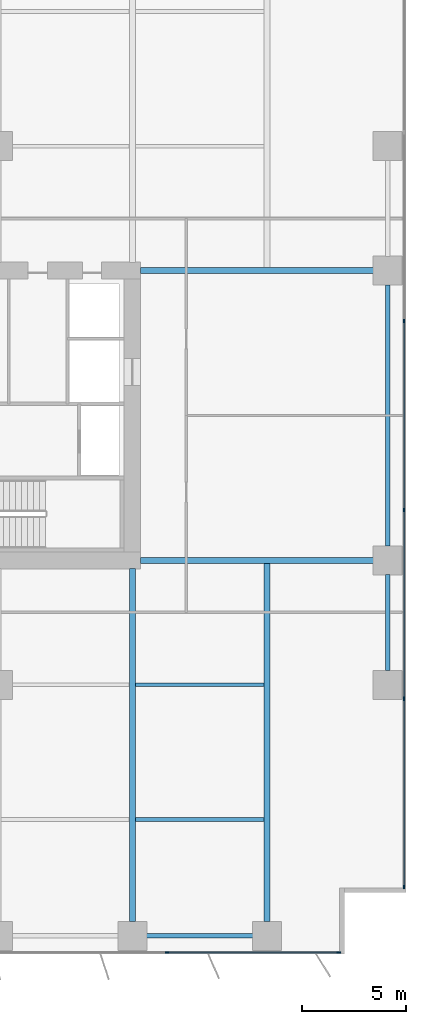
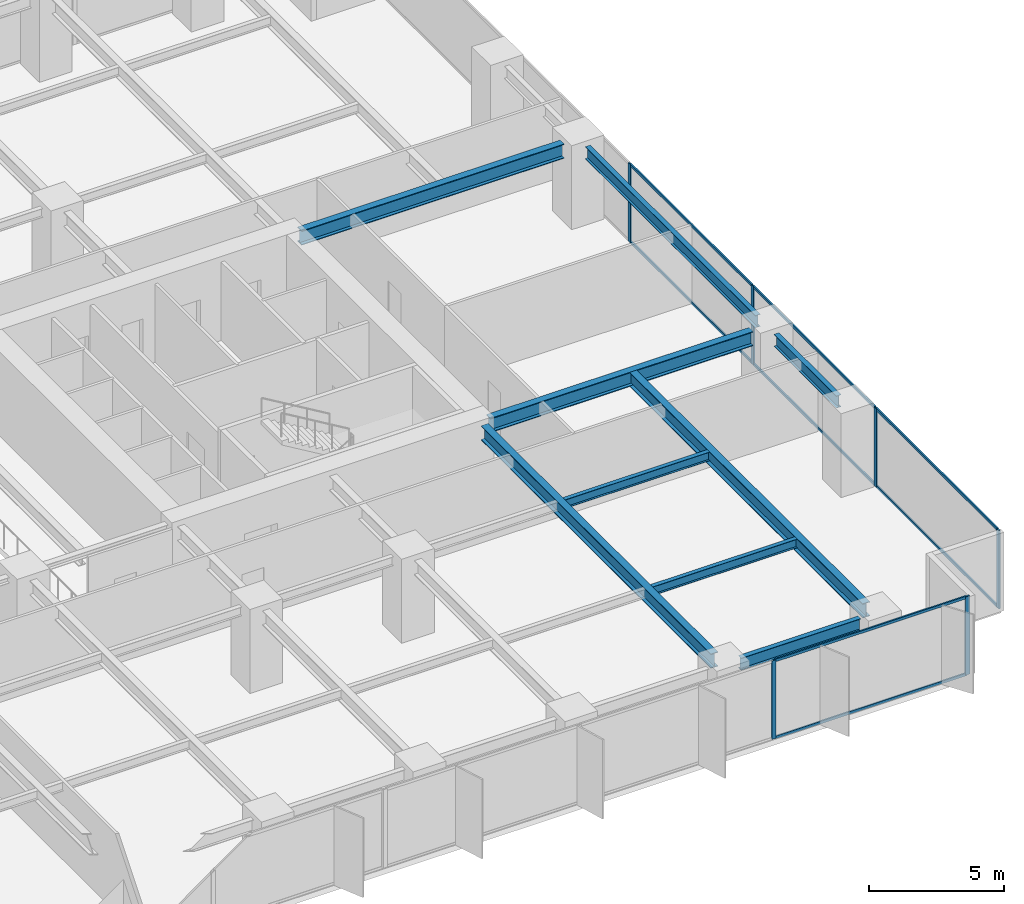
# One storey, part 10 of 20: 14 members, 9 beams, 2 elements without a shape of their own.
"""IFC4 building model written with IfcOpenShell, lengths in metres."""

from ifc_helpers import new_model, si_unit, direction, frame, origin, origin_2d, place, context, subcontext, project, spatial, rectangle, i_section, extrude, material, layer, layer_set, material_profile, profile_set, type_object, element, aggregate, save


model = new_model("IFC4")

# Units and contexts
model_context = context("Model", 3, precision=1e-05, world=origin(), true_north=direction((0.0, 1.0)))
body_context = subcontext(model_context, "Body", "Model", "MODEL_VIEW")
ifc_project = project(units=[si_unit("LENGTHUNIT", "METRE"), si_unit("AREAUNIT", "SQUARE_METRE"), si_unit("VOLUMEUNIT", "CUBIC_METRE"), si_unit("PLANEANGLEUNIT", "RADIAN"), si_unit("MASSUNIT", "GRAM", prefix="KILO")], contexts=[model_context])

# Site, building, storey
site_placement = place(None, origin())
site = spatial("IfcSite", under=ifc_project, at=site_placement, CompositionType="ELEMENT")
building_placement = place(site_placement, origin())
building = spatial("IfcBuilding", under=site, at=building_placement, Name="Putna Gate Headquarters", CompositionType="ELEMENT")
storey_placement = place(building_placement, frame((0.0, 0.0, 27.800048828125)))
storey = spatial("IfcBuildingStorey", under=building, at=storey_placement, Name="L05", CompositionType="ELEMENT", Elevation=27.800048828125)

# Beams
ifc_material_1 = material(Name="Steel S355J2", Category="steel")
ifc_material_profile_1 = material_profile(ifc_material_1, i_section(OverallWidth=0.300048828125, OverallDepth=0.64990234375, WebThickness=0.01611328125, FlangeThickness=0.031005859375, at=origin_2d()), Name="Steel S355J2")
ifc_profile_set_1 = profile_set([ifc_material_profile_1], Name="Steel S355J2")
beam_type_1 = type_object("IfcBeamType", Name="BM-GIRD-Z1-HEB650", PredefinedType="USERDEFINED", material=ifc_profile_set_1)
for number, where, z_axis, x_axis, name in (
    (1, (65.385009765625, 19.0, 3.224853515625), (1.0, 0.0, 0.0), (0.0, 1.0, 0.0), "L05 East Wing Girder Y19"),
    (2, (65.385009765625, 33.0, 3.224853515625), (1.0, 0.0, 0.0), (0.0, 1.0, 0.0), "L05 East Wing Girder Y33"),
):
    element("IfcBeam", number, at=place(storey_placement, frame(where, z_axis=z_axis, x_axis=x_axis)), inside=storey, type_object=beam_type_1, Name=name, ObjectType="GIRDER", PredefinedType="USERDEFINED", context=body_context, shape_type="SweptSolid", body=[
        extrude(i_section(OverallWidth=0.300048828125, OverallDepth=0.64990234375, WebThickness=0.01611328125, FlangeThickness=0.031005859375, at=origin_2d()), origin(), (0.0, 0.0, 1.0), 11.2470703125),
    ])
beam_1_placement = place(storey_placement, frame((65.0, 1.568115234375, 3.224853515625), z_axis=(0.0, 1.0, 0.0), x_axis=(-1.0, 0.0, 0.0)))
element("IfcBeam", 3, at=beam_1_placement, inside=storey, type_object=beam_type_1, Name="L05 South Primary Girder X65", ObjectType="GIRDER", PredefinedType="USERDEFINED", context=body_context, shape_type="SweptSolid", body=[
    extrude(i_section(OverallWidth=0.300048828125, OverallDepth=0.64990234375, WebThickness=0.01611328125, FlangeThickness=0.031005859375, at=origin_2d()), origin(), (0.0, 0.0, 1.0), 17.046875),
])
beam_2_placement = place(storey_placement, frame((71.5, 1.568115234375, 3.224853515625), z_axis=(0.0, 1.0, 0.0), x_axis=(-1.0, 0.0, 0.0)))
element("IfcBeam", 4, at=beam_2_placement, inside=storey, type_object=beam_type_1, Name="L05 South Primary Girder X71", ObjectType="GIRDER", PredefinedType="USERDEFINED", context=body_context, shape_type="SweptSolid", body=[
    extrude(i_section(OverallWidth=0.300048828125, OverallDepth=0.64990234375, WebThickness=0.01611328125, FlangeThickness=0.031005859375, at=origin_2d()), origin(), (0.0, 0.0, 1.0), 17.419921875),
])
ifc_material_profile_2 = material_profile(ifc_material_1, i_section(OverallWidth=0.179931640625, OverallDepth=0.39990234375, WebThickness=0.008544921875, FlangeThickness=0.013427734375, at=origin_2d()), Name="Steel S355J2")
ifc_profile_set_2 = profile_set([ifc_material_profile_2], Name="Steel S355J2")
beam_type_2 = type_object("IfcBeamType", Name="BM-SEC-Z1-IPE400", PredefinedType="BEAM", material=ifc_profile_set_2)
for number, where, z_axis, x_axis, name in (
    (5, (65.154052734375, 6.5, 3.349853515625), (1.0, 0.0, 0.0), (0.0, 1.0, 0.0), "L05 South Secondary Beam 10"),
    (6, (65.154052734375, 13.0, 3.349853515625), (1.0, 0.0, 0.0), (0.0, 1.0, 0.0), "L05 South Secondary Beam 10"),
):
    element("IfcBeam", number, at=place(storey_placement, frame(where, z_axis=z_axis, x_axis=x_axis)), inside=storey, type_object=beam_type_2, Name=name, PredefinedType="BEAM", context=body_context, shape_type="SweptSolid", body=[
        extrude(i_section(OverallWidth=0.179931640625, OverallDepth=0.39990234375, WebThickness=0.008544921875, FlangeThickness=0.013427734375, at=origin_2d()), origin(), (0.0, 0.0, 1.0), 6.19189453125),
    ])
ifc_material_profile_3 = material_profile(ifc_material_1, i_section(OverallWidth=0.2099609375, OverallDepth=0.550048828125, WebThickness=0.010986328125, FlangeThickness=0.01708984375, at=origin_2d()), Name="Steel S355J2")
ifc_profile_set_3 = profile_set([ifc_material_profile_3], Name="Steel S355J2")
beam_type_3 = type_object("IfcBeamType", Name="BM-SPAN-Z1-IPE550", PredefinedType="SPANDREL", material=ifc_profile_set_3)
beam_3_placement = place(storey_placement, frame((65.68798828125, 0.8798828125, 3.27490234375), z_axis=(1.0, 0.0, 0.0), x_axis=(0.0, 1.0, 0.0)))
element("IfcBeam", 7, at=beam_3_placement, inside=storey, type_object=beam_type_3, Name="L05 S Perimeter Spandrel 10", PredefinedType="SPANDREL", context=body_context, shape_type="SweptSolid", body=[
    extrude(i_section(OverallWidth=0.2099609375, OverallDepth=0.550048828125, WebThickness=0.010986328125, FlangeThickness=0.01708984375, at=origin_2d()), origin(), (0.0, 0.0, 1.0), 5.1240234375),
])
beam_4_placement = place(storey_placement, frame((77.320068359375, 13.68798828125, 3.27490234375), z_axis=(0.0, 1.0, 0.0), x_axis=(-1.0, 0.0, 0.0)))
element("IfcBeam", 8, at=beam_4_placement, inside=storey, type_object=beam_type_3, Name="L05 E End Spandrel 1", PredefinedType="SPANDREL", context=body_context, shape_type="SweptSolid", body=[
    extrude(i_section(OverallWidth=0.2099609375, OverallDepth=0.550048828125, WebThickness=0.010986328125, FlangeThickness=0.01708984375, at=origin_2d()), origin(), (0.0, 0.0, 1.0), 4.6240234375),
])
beam_5_placement = place(storey_placement, frame((77.320068359375, 19.68798828125, 3.27490234375), z_axis=(0.0, 1.0, 0.0), x_axis=(-1.0, 0.0, 0.0)))
element("IfcBeam", 9, at=beam_5_placement, inside=storey, type_object=beam_type_3, Name="L05 E End Spandrel 2", PredefinedType="SPANDREL", context=body_context, shape_type="SweptSolid", body=[
    extrude(i_section(OverallWidth=0.2099609375, OverallDepth=0.550048828125, WebThickness=0.010986328125, FlangeThickness=0.01708984375, at=origin_2d()), origin(), (0.0, 0.0, 1.0), 12.6240234375),
])

# Curtain wall, members
ifc_material_2 = material(Name="Anodised bronze aluminium curtain wall", Category="aluminium")
ifc_layer = layer(ifc_material_2, 0.179931640625)
ifc_layer_set = layer_set([ifc_layer], Name="Anodised bronze aluminium curtain wall")
curtain_wall_type = type_object("IfcCurtainWallType", Name="CW-SYS-Z1", PredefinedType="USERDEFINED", material=ifc_layer_set)
curtain_wall_1_placement = place(storey_placement, origin())
curtain_wall_1 = element("IfcCurtainWall", 10, at=curtain_wall_1_placement, inside=storey, type_object=curtain_wall_type, Name="L05 South East Curtain Wall", ObjectType="STICK CURTAIN WALL", PredefinedType="USERDEFINED")
ifc_material_3 = material(Name="Anodised bronze aluminium EN AW-6060", Category="aluminium")
ifc_material_profile_4 = material_profile(ifc_material_3, rectangle(XDim=0.070068359375, YDim=0.179931640625, at=origin_2d()), Name="Anodised bronze aluminium EN AW-6060")
ifc_profile_set_4 = profile_set([ifc_material_profile_4], Name="Anodised bronze aluminium EN AW-6060")
member_type_1 = type_object("IfcMemberType", Name="MULL-CWM-1", PredefinedType="MULLION", material=ifc_profile_set_4)
member_1_placement = place(storey_placement, frame((66.666748046875, 0.080078125, 0.0), z_axis=(0.0, 0.0, 1.0), x_axis=(0.0, 1.0, 0.0)))
member_1 = element("IfcMember", 11, at=member_1_placement, type_object=member_type_1, Name="CWS-1 mullion 3", PredefinedType="MULLION", context=body_context, shape_type="SweptSolid", body=[
    extrude(rectangle(XDim=0.070068359375, YDim=0.179931640625, at=origin_2d()), origin(), (0.0, 0.0, 1.0), 3.550048828125),
])
member_2_placement = place(storey_placement, frame((74.965087890625, 0.080078125, 0.0), z_axis=(0.0, 0.0, 1.0), x_axis=(0.0, 1.0, 0.0)))
member_2 = element("IfcMember", 12, at=member_2_placement, type_object=member_type_1, Name="CWS-1 mullion 4", PredefinedType="MULLION", context=body_context, shape_type="SweptSolid", body=[
    extrude(rectangle(XDim=0.070068359375, YDim=0.179931640625, at=origin_2d()), origin(), (0.0, 0.0, 1.0), 3.550048828125),
])

curtain_wall_2_placement = place(storey_placement, origin())
curtain_wall_2 = element("IfcCurtainWall", 13, at=curtain_wall_2_placement, inside=storey, type_object=curtain_wall_type, Name="L05 East Curtain Wall", ObjectType="STICK CURTAIN WALL", PredefinedType="USERDEFINED")
member_3_placement = place(storey_placement, frame((78.1201171875, 3.235107421875, 0.0), z_axis=(0.0, 0.0, 1.0), x_axis=(-1.0, 0.0, 0.0)))
member_3 = element("IfcMember", 14, at=member_3_placement, type_object=member_type_1, Name="CWS-1 mullion 1", PredefinedType="MULLION", context=body_context, shape_type="SweptSolid", body=[
    extrude(rectangle(XDim=0.070068359375, YDim=0.179931640625, at=origin_2d()), origin(), (0.0, 0.0, 1.0), 3.550048828125),
])
member_4_placement = place(storey_placement, frame((78.1201171875, 12.320068359375, 0.0), z_axis=(0.0, 0.0, 1.0), x_axis=(-1.0, 0.0, 0.0)))
member_4 = element("IfcMember", 15, at=member_4_placement, type_object=member_type_1, Name="CWS-1 mullion 2", PredefinedType="MULLION", context=body_context, shape_type="SweptSolid", body=[
    extrude(rectangle(XDim=0.070068359375, YDim=0.179931640625, at=origin_2d()), origin(), (0.0, 0.0, 1.0), 3.550048828125),
])
member_5_placement = place(storey_placement, frame((78.1201171875, 21.43994140625, 0.0), z_axis=(0.0, 0.0, 1.0), x_axis=(-1.0, 0.0, 0.0)))
member_5 = element("IfcMember", 16, at=member_5_placement, type_object=member_type_1, Name="CWS-1 mullion 3", PredefinedType="MULLION", context=body_context, shape_type="SweptSolid", body=[
    extrude(rectangle(XDim=0.070068359375, YDim=0.179931640625, at=origin_2d()), origin(), (0.0, 0.0, 1.0), 3.550048828125),
])
member_6_placement = place(storey_placement, frame((78.1201171875, 30.56005859375, 0.0), z_axis=(0.0, 0.0, 1.0), x_axis=(-1.0, 0.0, 0.0)))
member_6 = element("IfcMember", 17, at=member_6_placement, type_object=member_type_1, Name="CWS-1 mullion 4", PredefinedType="MULLION", context=body_context, shape_type="SweptSolid", body=[
    extrude(rectangle(XDim=0.070068359375, YDim=0.179931640625, at=origin_2d()), origin(), (0.0, 0.0, 1.0), 3.550048828125),
])

# Member
ifc_material_profile_5 = material_profile(ifc_material_3, rectangle(XDim=0.06494140625, YDim=0.1201171875, at=origin_2d()), Name="Anodised bronze aluminium EN AW-6060")
ifc_profile_set_5 = profile_set([ifc_material_profile_5], Name="Anodised bronze aluminium EN AW-6060")
member_type_2 = type_object("IfcMemberType", Name="TRAN-CWT-1", PredefinedType="USERDEFINED", material=ifc_profile_set_5)
member_7_placement = place(storey_placement, frame((66.70166015625, 0.080078125, 0.032470703125), z_axis=(1.0, 0.0, 0.0), x_axis=(0.0, 1.0, 0.0)))
member_7 = element("IfcMember", 18, at=member_7_placement, type_object=member_type_2, Name="CWS-1 transom 3.1", ObjectType="TRANSOM", PredefinedType="USERDEFINED", context=body_context, shape_type="SweptSolid", body=[
    extrude(rectangle(XDim=0.06494140625, YDim=0.1201171875, at=origin_2d()), origin(), (0.0, 0.0, 1.0), 8.228271484375),
])

member_8_placement = place(storey_placement, frame((66.70166015625, 0.080078125, 3.517333984375), z_axis=(1.0, 0.0, 0.0), x_axis=(0.0, 1.0, 0.0)))
member_8 = element("IfcMember", 19, at=member_8_placement, type_object=member_type_2, Name="CWS-1 transom 3.2", ObjectType="TRANSOM", PredefinedType="USERDEFINED", context=body_context, shape_type="SweptSolid", body=[
    extrude(rectangle(XDim=0.06494140625, YDim=0.1201171875, at=origin_2d()), origin(), (0.0, 0.0, 1.0), 8.228271484375),
])

aggregate(curtain_wall_1, [member_1, member_2, member_7, member_8])

member_9_placement = place(storey_placement, frame((78.1201171875, 3.27001953125, 0.032470703125), z_axis=(0.0, 1.0, 0.0), x_axis=(-1.0, 0.0, 0.0)))
member_9 = element("IfcMember", 20, at=member_9_placement, type_object=member_type_2, Name="CWS-1 transom 1.1", ObjectType="TRANSOM", PredefinedType="USERDEFINED", context=body_context, shape_type="SweptSolid", body=[
    extrude(rectangle(XDim=0.06494140625, YDim=0.1201171875, at=origin_2d()), origin(), (0.0, 0.0, 1.0), 9.014892578125),
])

member_10_placement = place(storey_placement, frame((78.1201171875, 3.27001953125, 3.517333984375), z_axis=(0.0, 1.0, 0.0), x_axis=(-1.0, 0.0, 0.0)))
member_10 = element("IfcMember", 21, at=member_10_placement, type_object=member_type_2, Name="CWS-1 transom 1.2", ObjectType="TRANSOM", PredefinedType="USERDEFINED", context=body_context, shape_type="SweptSolid", body=[
    extrude(rectangle(XDim=0.06494140625, YDim=0.1201171875, at=origin_2d()), origin(), (0.0, 0.0, 1.0), 9.014892578125),
])

member_11_placement = place(storey_placement, frame((78.1201171875, 12.35498046875, 0.032470703125), z_axis=(0.0, 1.0, 0.0), x_axis=(-1.0, 0.0, 0.0)))
member_11 = element("IfcMember", 22, at=member_11_placement, type_object=member_type_2, Name="CWS-1 transom 2.1", ObjectType="TRANSOM", PredefinedType="USERDEFINED", context=body_context, shape_type="SweptSolid", body=[
    extrude(rectangle(XDim=0.06494140625, YDim=0.1201171875, at=origin_2d()), origin(), (0.0, 0.0, 1.0), 9.050048828125),
])

member_12_placement = place(storey_placement, frame((78.1201171875, 12.35498046875, 3.517333984375), z_axis=(0.0, 1.0, 0.0), x_axis=(-1.0, 0.0, 0.0)))
member_12 = element("IfcMember", 23, at=member_12_placement, type_object=member_type_2, Name="CWS-1 transom 2.2", ObjectType="TRANSOM", PredefinedType="USERDEFINED", context=body_context, shape_type="SweptSolid", body=[
    extrude(rectangle(XDim=0.06494140625, YDim=0.1201171875, at=origin_2d()), origin(), (0.0, 0.0, 1.0), 9.050048828125),
])

member_13_placement = place(storey_placement, frame((78.1201171875, 21.47509765625, 0.032470703125), z_axis=(0.0, 1.0, 0.0), x_axis=(-1.0, 0.0, 0.0)))
member_13 = element("IfcMember", 24, at=member_13_placement, type_object=member_type_2, Name="CWS-1 transom 3.1", ObjectType="TRANSOM", PredefinedType="USERDEFINED", context=body_context, shape_type="SweptSolid", body=[
    extrude(rectangle(XDim=0.06494140625, YDim=0.1201171875, at=origin_2d()), origin(), (0.0, 0.0, 1.0), 9.0498046875),
])

member_14_placement = place(storey_placement, frame((78.1201171875, 21.47509765625, 3.517333984375), z_axis=(0.0, 1.0, 0.0), x_axis=(-1.0, 0.0, 0.0)))
member_14 = element("IfcMember", 25, at=member_14_placement, type_object=member_type_2, Name="CWS-1 transom 3.2", ObjectType="TRANSOM", PredefinedType="USERDEFINED", context=body_context, shape_type="SweptSolid", body=[
    extrude(rectangle(XDim=0.06494140625, YDim=0.1201171875, at=origin_2d()), origin(), (0.0, 0.0, 1.0), 9.0498046875),
])

aggregate(curtain_wall_2, [member_3, member_4, member_5, member_6, member_9, member_10, member_11, member_12, member_13, member_14])

save(model, "model.ifc")
